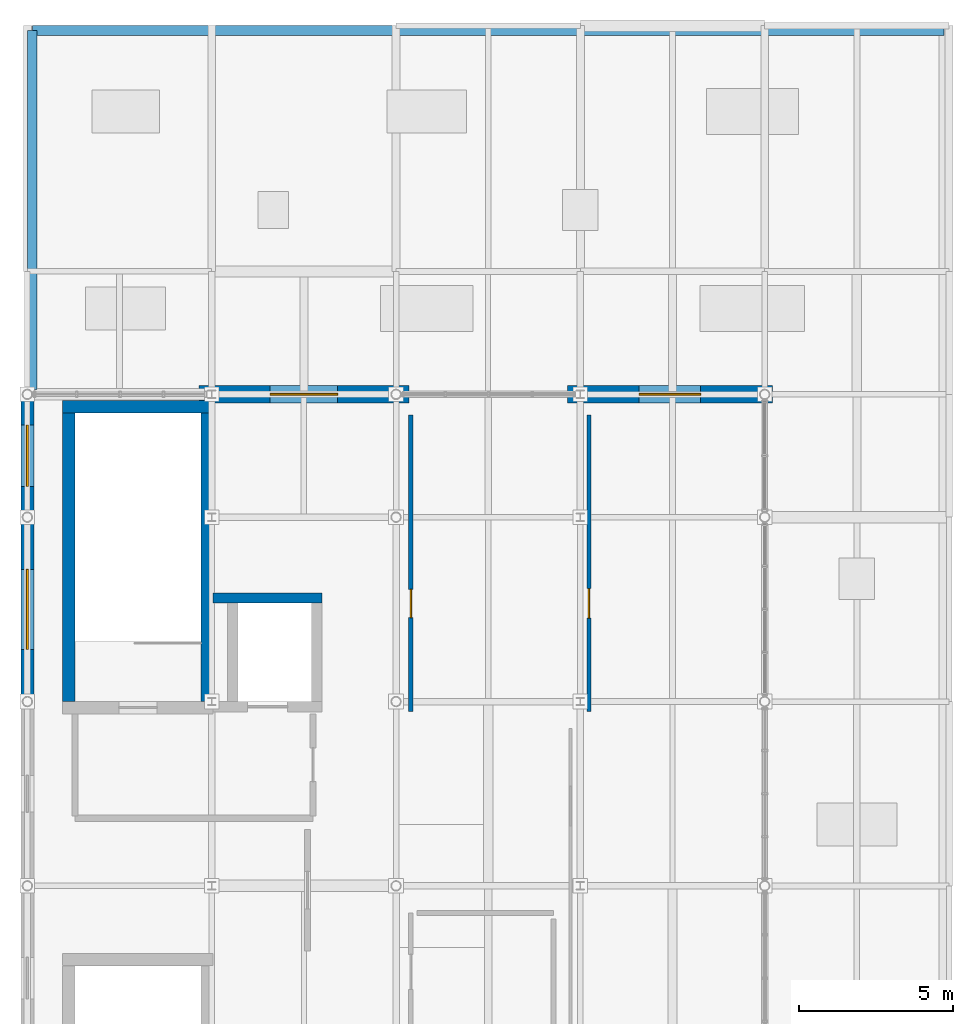
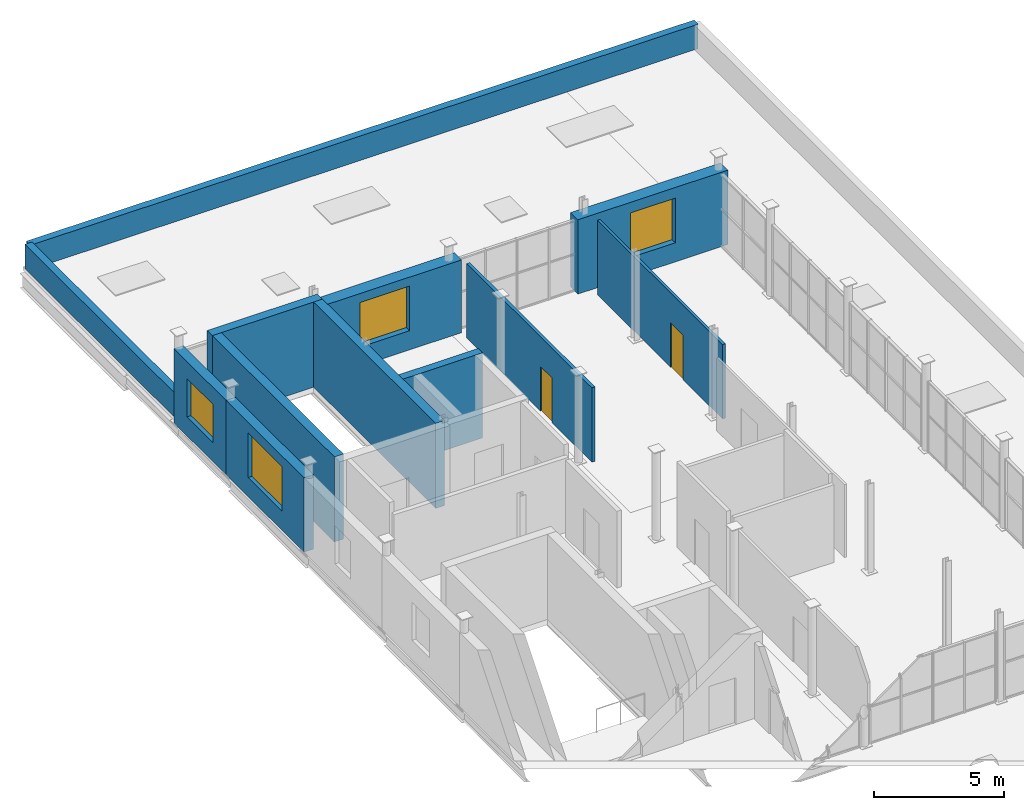
# One storey, part 26 of 27: 12 walls, 4 windows, 2 doors, 6 openings.
"""IFC4 building model written with IfcOpenShell, lengths in metres."""

import ifcopenshell
import ifcopenshell.guid

model = None  # the IFC model being written
_history = None  # IfcOwnerHistory: only IFC2X3 demands one
_inside = {}  # id of a spatial element -> (the spatial element, [elements in it])
_under = {}  # id of a project, library or spatial element -> (it, [spatial elements below it])
_declared = {}  # id of a project -> (the project, [libraries it declares])
_typed = {}  # id of a type object -> (the type object, [elements of that type])
_made_of = {}  # id of a material, layer set ... -> (it, [elements and type objects made of it])


def new_model(schema):
    """Start an empty IFC model of exactly this schema.

    Asked for "IFC4X3", IfcOpenShell would pick the latest addendum, in which some entities
    have other attributes; the version numbers below select the first issue.
    IFC2X3 requires an IfcOwnerHistory on every rooted entity: one is made here for all.
    """
    global model, _history
    if schema == "IFC4X3":
        model = ifcopenshell.file(schema_version=(4, 3, 0, 0))
    else:
        model = ifcopenshell.file(schema=schema)
    _inside.clear()
    _under.clear()
    _declared.clear()
    _typed.clear()
    _made_of.clear()
    _history = None
    if model.schema == "IFC2X3":
        org = make("IfcOrganization", Name="unknown")
        user = make(
            "IfcPersonAndOrganization",
            ThePerson=make("IfcPerson", FamilyName="unknown"),
            TheOrganization=org,
        )
        app = make(
            "IfcApplication",
            ApplicationDeveloper=org,
            Version="unknown",
            ApplicationFullName="unknown",
            ApplicationIdentifier="unknown",
        )
        _history = make(
            "IfcOwnerHistory",
            OwningUser=user,
            OwningApplication=app,
            ChangeAction="ADDED",
            CreationDate=0,
        )
    return model


def make(cls, **values):
    """One entity of the class cls with the attributes given. An attribute that is None is left unset."""
    return model.create_entity(
        cls, **{name: value for name, value in values.items() if value is not None}
    )


def rooted(cls, **values):
    """An entity with a GlobalId (a new one), such as an element, a storey or a relation."""
    return make(cls, GlobalId=ifcopenshell.guid.new(), OwnerHistory=_history, **values)


def si_unit(unit_type, name, prefix=None):
    """IfcSIUnit, for example si_unit("LENGTHUNIT", "METRE", prefix="MILLI")."""
    return make("IfcSIUnit", UnitType=unit_type, Prefix=prefix, Name=name)


def assignment(units):
    """IfcUnitAssignment: the units of a project."""
    return None if units is None else make("IfcUnitAssignment", Units=units)


def point(xyz):
    """IfcCartesianPoint."""
    return None if xyz is None else make("IfcCartesianPoint", Coordinates=xyz)


def direction(xyz):
    """IfcDirection."""
    return None if xyz is None else make("IfcDirection", DirectionRatios=xyz)


def frame(location, z_axis=None, x_axis=None):
    """IfcAxis2Placement3D, a coordinate frame: its origin and axes. An axis left out is left unset."""
    return make(
        "IfcAxis2Placement3D",
        Location=point(location),
        Axis=direction(z_axis),
        RefDirection=direction(x_axis),
    )


def frame_2d(location, x_axis=None):
    """IfcAxis2Placement2D, a coordinate frame in the plane: its origin and x axis."""
    return make(
        "IfcAxis2Placement2D", Location=point(location), RefDirection=direction(x_axis)
    )


def origin():
    """The frame at (0, 0, 0) with its axes left unset."""
    return frame((0.0, 0.0, 0.0))


def place(relative_to, where):
    """IfcLocalPlacement: puts the frame where relative to a parent placement (None: the world)."""
    return make(
        "IfcLocalPlacement", PlacementRelTo=relative_to, RelativePlacement=where
    )


def context(
    kind, dimensions, precision=None, world=None, true_north=None, identifier=None
):
    """IfcGeometricRepresentationContext, for example the 3D "Model" context."""
    return make(
        "IfcGeometricRepresentationContext",
        ContextIdentifier=identifier,
        ContextType=kind,
        CoordinateSpaceDimension=dimensions,
        Precision=precision,
        WorldCoordinateSystem=world,
        TrueNorth=true_north,
    )


def subcontext(parent, identifier, kind, view, scale=None):
    """IfcGeometricRepresentationSubContext, for example "Body" below "Model"."""
    return make(
        "IfcGeometricRepresentationSubContext",
        ContextIdentifier=identifier,
        ContextType=kind,
        ParentContext=parent,
        TargetScale=scale,
        TargetView=view,
    )


def project(units=None, contexts=None):
    """IfcProject with its units and contexts."""
    return rooted(
        "IfcProject",
        Name="project",
        RepresentationContexts=contexts,
        UnitsInContext=assignment(units),
    )


def spatial(cls, under=None, at=None, **own):
    """A site, building, storey or space (cls), placed at a placement, below another one or the project."""
    s = rooted(cls, ObjectPlacement=at, **own)
    if under is not None:
        _under.setdefault(under.id(), (under, []))[1].append(s)
    return s


def profile(cls, at=None, kind="AREA", **sizes):
    """A parametric profile (cls). Its sizes go by their IFC names, for example OverallWidth=200.0."""
    return make(cls, ProfileType=kind, Position=at, **sizes)


def rectangle(**sizes):
    """IfcRectangleProfileDef."""
    return profile("IfcRectangleProfileDef", **sizes)


def extrude(swept, where, along, depth):
    """IfcExtrudedAreaSolid: the profile swept, set in the frame where, extruded along a direction by depth."""
    return make(
        "IfcExtrudedAreaSolid",
        SweptArea=swept,
        Position=where,
        ExtrudedDirection=direction(along),
        Depth=depth,
    )


def shape(context_of_items, identifier, shape_type, items):
    """IfcShapeRepresentation: the items that make up one representation, for example the "Body"."""
    return make(
        "IfcShapeRepresentation",
        ContextOfItems=context_of_items,
        RepresentationIdentifier=identifier,
        RepresentationType=shape_type,
        Items=items,
    )


def material(Name=None, Category=None):
    """IfcMaterial."""
    return make("IfcMaterial", Name=Name, Category=Category)


def layer(
    of_material, thickness, ventilated=None, Name=None, Category=None, Priority=None
):
    """IfcMaterialLayer: one layer of a wall or slab, of a material (None: an air gap)."""
    return make(
        "IfcMaterialLayer",
        Material=of_material,
        LayerThickness=thickness,
        IsVentilated=ventilated,
        Name=Name,
        Category=Category,
        Priority=Priority,
    )


def layer_set(layers, Name=None):
    """IfcMaterialLayerSet."""
    return make("IfcMaterialLayerSet", MaterialLayers=layers, LayerSetName=Name)


def made_of(thing, what):
    """Note that an element or type object is made of a material, layer set ...; save() writes the relation."""
    if what is not None:
        _made_of.setdefault(what.id(), (what, []))[1].append(thing)
    return thing


def type_object(cls, material=None, **own):
    """A type object (cls), such as IfcWallType, which elements share."""
    return made_of(rooted(cls, **own), material)


def element(
    cls,
    number,
    at=None,
    inside=None,
    cuts=None,
    type_object=None,
    material=None,
    context=None,
    identifier="Body",
    shape_type=None,
    held_by="IfcProductDefinitionShape",
    body=None,
    shapes=None,
    **own,
):
    """One element of the class cls, such as IfcWall. Its Tag is "e" and its number.

    at: its placement. inside: the storey or other place that contains it. cuts: it is an
    opening in that element (IfcRelVoidsElement). A single representation is given by context,
    identifier, shape_type and body (its items); several are given by shapes. held_by: the class
    of the entity that holds the representations. save() writes the other relations.
    """
    e = rooted(cls, Tag="e%d" % number, ObjectPlacement=at, **own)
    if body is not None:
        shapes = [shape(context, identifier, shape_type, body)]
    if shapes is not None:
        e.Representation = make(held_by, Representations=shapes)
    if inside is not None:
        _inside.setdefault(inside.id(), (inside, []))[1].append(e)
    if cuts is not None:
        rooted(
            "IfcRelVoidsElement", RelatingBuildingElement=cuts, RelatedOpeningElement=e
        )
    if type_object is not None:
        _typed.setdefault(type_object.id(), (type_object, []))[1].append(e)
    return made_of(e, material)


def fill(opening, filler):
    """IfcRelFillsElement: the door or window that sits in an opening."""
    return rooted(
        "IfcRelFillsElement",
        RelatingOpeningElement=opening,
        RelatedBuildingElement=filler,
    )


def aggregate(whole, parts):
    """IfcRelAggregates: a whole, such as a stair, and the parts it consists of."""
    return rooted("IfcRelAggregates", RelatingObject=whole, RelatedObjects=parts)


def save(model, path):
    """Write the relations noted so far, then the file.

    IfcRelAggregates (storeys below a building ...), IfcRelContainedInSpatialStructure (elements
    in a storey), IfcRelDefinesByType, IfcRelAssociatesMaterial and IfcRelDeclares: one each for
    every whole, place, type object, material and project.
    """
    for whole, parts in _under.values():
        aggregate(whole, parts)
    for where, things in _inside.values():
        rooted(
            "IfcRelContainedInSpatialStructure",
            RelatedElements=things,
            RelatingStructure=where,
        )
    for kind, things in _typed.values():
        rooted("IfcRelDefinesByType", RelatedObjects=things, RelatingType=kind)
    for what, things in _made_of.values():
        rooted("IfcRelAssociatesMaterial", RelatedObjects=things, RelatingMaterial=what)
    for by, libraries in _declared.values():
        rooted("IfcRelDeclares", RelatingContext=by, RelatedDefinitions=libraries)
    model.write(path)


model = new_model("IFC4")

# Units and contexts
model_context = context("Model", 3, precision=1e-05, world=origin(), true_north=direction((0.0, 1.0)))
body_context = subcontext(model_context, "Body", "Model", "MODEL_VIEW")
ifc_project = project(units=[si_unit("LENGTHUNIT", "METRE"), si_unit("AREAUNIT", "SQUARE_METRE"), si_unit("VOLUMEUNIT", "CUBIC_METRE"), si_unit("PLANEANGLEUNIT", "RADIAN"), si_unit("MASSUNIT", "GRAM", prefix="KILO")], contexts=[model_context])

# Site, building, storey
site_placement = place(None, origin())
site = spatial("IfcSite", under=ifc_project, at=site_placement, CompositionType="ELEMENT")
building_placement = place(site_placement, origin())
building = spatial("IfcBuilding", under=site, at=building_placement, Name="Verrall Gate Interchange", CompositionType="ELEMENT")
storey_placement = place(building_placement, frame((0.0, 0.0, 28.60009765625)))
storey = spatial("IfcBuildingStorey", under=building, at=storey_placement, Name="L07", CompositionType="ELEMENT", Elevation=28.60009765625)

# Wall, opening, window
ifc_material_1 = material(Name="Tyndall Dolomitic Limestone Ashlar Cavity Assembly (U=0.18)", Category="masonry")
ifc_layer_1 = layer(ifc_material_1, 0.419921875)
ifc_layer_set_1 = layer_set([ifc_layer_1], Name="Tyndall Dolomitic Limestone Ashlar Cavity Assembly (U=0.18)")
wall_type_1 = type_object("IfcWallType", Name="EW-01 Exterior Solid Wall 420", PredefinedType="SOLIDWALL", material=ifc_layer_set_1)
wall_1_placement = place(storey_placement, frame((6.0, 44.008056640625, 0.0), z_axis=(0.0, 0.0, 1.0), x_axis=(0.0, -1.0, 0.0)))
wall_1 = element("IfcWall", 1, at=wall_1_placement, inside=storey, type_object=wall_type_1, Name="L07 Classical Limestone Facade Wall 156", PredefinedType="SOLIDWALL", context=body_context, shape_type="SweptSolid", body=[
    extrude(rectangle(XDim=4.01611328125, YDim=0.419921875, at=frame_2d((2.008056640625, 0.0))), origin(), (0.0, 0.0, 1.0), 3.496826171875),
])
opening_1_placement = place(wall_1_placement, frame((1.008056640625, 0.0, 0.89990234375)))
opening_1 = element("IfcOpeningElement", 2, at=opening_1_placement, cuts=wall_1, Name="Opening WN-06", PredefinedType="OPENING", context=body_context, shape_type="SweptSolid", body=[
    extrude(rectangle(XDim=2.0, YDim=1.800048828125, at=frame_2d((1.0, 0.89990234375))), frame((0.0, 0.224853515625, 0.0), z_axis=(0.0, -1.0, 0.0), x_axis=(1.0, 0.0, 0.0)), (0.0, 0.0, 1.0), 0.44970703125),
])
ifc_material_2 = material(Name="Triple-Glazed Low-E Argon Bronze-Clad Window Unit (U=1.40)", Category="glass")
window_type_1 = type_object("IfcWindowType", Name="WN-06 Classical Deep-Reveal Window 2000x1800", PartitioningType="SINGLE_PANEL", PredefinedType="WINDOW", material=ifc_material_2)
window_1_placement = place(opening_1_placement, origin())
window_1 = element("IfcWindow", 3, at=window_1_placement, inside=storey, type_object=window_type_1, Name="L07 Classical Window 087 (WN-06)", OverallHeight=1.800048828125, OverallWidth=2.0, PartitioningType="SINGLE_PANEL", PredefinedType="WINDOW", context=body_context, shape_type="SweptSolid", body=[
    extrude(rectangle(XDim=2.0, YDim=1.800048828125, at=frame_2d((1.0, 0.89990234375))), frame((0.0, 0.030029296875, 0.0), z_axis=(0.0, -1.0, 0.0), x_axis=(1.0, 0.0, 0.0)), (0.0, 0.0, 1.0), 0.06005859375),
])
fill(opening_1, window_1)

wall_2_placement = place(storey_placement, frame((6.0, 40.008056640625, 0.0), z_axis=(0.0, 0.0, 1.0), x_axis=(0.0, -1.0, 0.0)))
wall_2 = element("IfcWall", 4, at=wall_2_placement, inside=storey, type_object=wall_type_1, Name="L07 Classical Limestone Facade Wall 157", PredefinedType="SOLIDWALL", context=body_context, shape_type="SweptSolid", body=[
    extrude(rectangle(XDim=6.01611328125, YDim=0.419921875, at=frame_2d((3.008056640625, 0.0))), origin(), (0.0, 0.0, 1.0), 3.496826171875),
])
opening_2_placement = place(wall_2_placement, frame((1.7080078125, 0.0, 0.89990234375)))
opening_2 = element("IfcOpeningElement", 5, at=opening_2_placement, cuts=wall_2, Name="Opening WN-16", PredefinedType="OPENING", context=body_context, shape_type="SweptSolid", body=[
    extrude(rectangle(XDim=2.60009765625, YDim=2.10009765625, at=frame_2d((1.300048828125, 1.050048828125))), frame((0.0, 0.224853515625, 0.0), z_axis=(0.0, -1.0, 0.0), x_axis=(1.0, 0.0, 0.0)), (0.0, 0.0, 1.0), 0.44970703125),
])
ifc_material_3 = material(Name="Triple-Glazed Low-E Argon Bronze-Clad Window Unit (U=1.40)", Category="glass")
window_type_2 = type_object("IfcWindowType", Name="WN-16 Classical Deep-Reveal Window 2600x2100", PartitioningType="SINGLE_PANEL", PredefinedType="WINDOW", material=ifc_material_3)
window_2_placement = place(opening_2_placement, origin())
window_2 = element("IfcWindow", 6, at=window_2_placement, inside=storey, type_object=window_type_2, Name="L07 Classical Window 088 (WN-16)", OverallHeight=2.10009765625, OverallWidth=2.60009765625, PartitioningType="SINGLE_PANEL", PredefinedType="WINDOW", context=body_context, shape_type="SweptSolid", body=[
    extrude(rectangle(XDim=2.60009765625, YDim=2.10009765625, at=frame_2d((1.300048828125, 1.050048828125))), frame((0.0, 0.030029296875, 0.0), z_axis=(0.0, -1.0, 0.0), x_axis=(1.0, 0.0, 0.0)), (0.0, 0.0, 1.0), 0.06005859375),
])
fill(opening_2, window_2)

ifc_material_4 = material(Name="Tyndall Dolomitic Limestone Ashlar Cavity Assembly (U=0.18)", Category="masonry")
ifc_layer_2 = layer(ifc_material_4, 0.56005859375)
ifc_layer_set_2 = layer_set([ifc_layer_2], Name="Tyndall Dolomitic Limestone Ashlar Cavity Assembly (U=0.18)")
wall_type_2 = type_object("IfcWallType", Name="EW-04 Exterior Solid Wall 560", PredefinedType="SOLIDWALL", material=ifc_layer_set_2)
wall_3_placement = place(storey_placement, frame((30.25, 44.0, 0.0), z_axis=(0.0, 0.0, 1.0), x_axis=(-1.0, 0.0, 0.0)))
wall_3 = element("IfcWall", 7, at=wall_3_placement, inside=storey, type_object=wall_type_2, Name="L07 Classical Limestone Facade Wall 154", PredefinedType="SOLIDWALL", context=body_context, shape_type="SweptSolid", body=[
    extrude(rectangle(XDim=6.669921875, YDim=0.56005859375, at=frame_2d((3.3349609375, 0.0))), origin(), (0.0, 0.0, 1.0), 3.496826171875),
])
opening_3_placement = place(wall_3_placement, frame((2.3349609375, 0.0, 0.89990234375)))
opening_3 = element("IfcOpeningElement", 8, at=opening_3_placement, cuts=wall_3, Name="Opening WN-13", PredefinedType="OPENING", context=body_context, shape_type="SweptSolid", body=[
    extrude(rectangle(XDim=2.0, YDim=2.10009765625, at=frame_2d((1.0, 1.050048828125))), frame((0.0, 0.294921875, 0.0), z_axis=(0.0, -1.0, 0.0), x_axis=(1.0, 0.0, 0.0)), (0.0, 0.0, 1.0), 0.58984375),
])
ifc_material_5 = material(Name="Triple-Glazed Low-E Argon Bronze-Clad Window Unit (U=1.40)", Category="glass")
window_type_3 = type_object("IfcWindowType", Name="WN-13 Classical Deep-Reveal Window 2000x2100", PartitioningType="SINGLE_PANEL", PredefinedType="WINDOW", material=ifc_material_5)
window_3_placement = place(opening_3_placement, origin())
window_3 = element("IfcWindow", 9, at=window_3_placement, inside=storey, type_object=window_type_3, Name="L07 Classical Window 085 (WN-13)", OverallHeight=2.10009765625, OverallWidth=2.0, PartitioningType="SINGLE_PANEL", PredefinedType="WINDOW", context=body_context, shape_type="SweptSolid", body=[
    extrude(rectangle(XDim=2.0, YDim=2.10009765625, at=frame_2d((1.0, 1.050048828125))), frame((0.0, 0.030029296875, 0.0), z_axis=(0.0, -1.0, 0.0), x_axis=(1.0, 0.0, 0.0)), (0.0, 0.0, 1.0), 0.06005859375),
])
fill(opening_3, window_3)

wall_4_placement = place(storey_placement, frame((18.419921875, 44.0, 0.0), z_axis=(0.0, 0.0, 1.0), x_axis=(-1.0, 0.0, 0.0)))
wall_4 = element("IfcWall", 10, at=wall_4_placement, inside=storey, type_object=wall_type_2, Name="L07 Classical Limestone Facade Wall 155", PredefinedType="SOLIDWALL", context=body_context, shape_type="SweptSolid", body=[
    extrude(rectangle(XDim=6.83984375, YDim=0.56005859375, at=frame_2d((3.419921875, 0.0))), origin(), (0.0, 0.0, 1.0), 3.4208984375),
])
opening_4_placement = place(wall_4_placement, frame((2.320068359375, 0.0, 0.89990234375)))
opening_4 = element("IfcOpeningElement", 11, at=opening_4_placement, cuts=wall_4, Name="Opening WN-14", PredefinedType="OPENING", context=body_context, shape_type="SweptSolid", body=[
    extrude(rectangle(XDim=2.199951171875, YDim=2.10009765625, at=frame_2d((1.10009765625, 1.050048828125))), frame((0.0, 0.294921875, 0.0), z_axis=(0.0, -1.0, 0.0), x_axis=(1.0, 0.0, 0.0)), (0.0, 0.0, 1.0), 0.58984375),
])
ifc_material_6 = material(Name="Triple-Glazed Low-E Argon Bronze-Clad Window Unit (U=1.40)", Category="glass")
window_type_4 = type_object("IfcWindowType", Name="WN-14 Classical Deep-Reveal Window 2200x2100", PartitioningType="SINGLE_PANEL", PredefinedType="WINDOW", material=ifc_material_6)
window_4_placement = place(opening_4_placement, origin())
window_4 = element("IfcWindow", 12, at=window_4_placement, inside=storey, type_object=window_type_4, Name="L07 Classical Window 086 (WN-14)", OverallHeight=2.10009765625, OverallWidth=2.199951171875, PartitioningType="SINGLE_PANEL", PredefinedType="WINDOW", context=body_context, shape_type="SweptSolid", body=[
    extrude(rectangle(XDim=2.199951171875, YDim=2.10009765625, at=frame_2d((1.10009765625, 1.050048828125))), frame((0.0, 0.030029296875, 0.0), z_axis=(0.0, -1.0, 0.0), x_axis=(1.0, 0.0, 0.0)), (0.0, 0.0, 1.0), 0.06005859375),
])
fill(opening_4, window_4)

# Wall, opening, door
ifc_material_7 = material(Name="Acoustic Steel-Stud Partition Assembly", Category="steel")
ifc_layer_3 = layer(ifc_material_7, 0.139892578125)
ifc_layer_set_3 = layer_set([ifc_layer_3], Name="Acoustic Steel-Stud Partition Assembly")
wall_type_3 = type_object("IfcWallType", Name="IW-03 Interior Partition Wall 140", PredefinedType="PARTITIONING", material=ifc_layer_set_3)
wall_5_placement = place(storey_placement, frame((18.47998046875, 33.679931640625, 0.0), z_axis=(0.0, 0.0, 1.0), x_axis=(0.0, 1.0, 0.0)))
wall_5 = element("IfcWall", 13, at=wall_5_placement, inside=storey, type_object=wall_type_3, Name="L07 Duty Supervisor Office Partition 110", PredefinedType="PARTITIONING", context=body_context, shape_type="SweptSolid", body=[
    extrude(rectangle(XDim=9.64013671875, YDim=0.139892578125, at=frame_2d((4.820068359375, 0.0))), origin(), (0.0, 0.0, 1.0), 3.496826171875),
])
opening_5_placement = place(wall_5_placement, frame((3.052001953125, 0.0, 0.0)))
opening_5 = element("IfcOpeningElement", 14, at=opening_5_placement, cuts=wall_5, Name="Opening D073", PredefinedType="OPENING", context=body_context, shape_type="SweptSolid", body=[
    extrude(rectangle(XDim=0.919921875, YDim=2.10009765625, at=frame_2d((0.4599609375, 1.050048828125))), frame((0.0, 0.0849609375, 0.0), z_axis=(0.0, -1.0, 0.0), x_axis=(1.0, 0.0, 0.0)), (0.0, 0.0, 1.0), 0.169677734375),
])
ifc_material_8 = material(Name="Architectural Solid-Core Birch Acoustic Door Assembly", Category="wood")
door_type_1 = type_object("IfcDoorType", Name="ID-10 Interior Swing Door 920x2100", OperationType="NOTDEFINED", PredefinedType="DOOR", material=ifc_material_8)
door_1_placement = place(opening_5_placement, origin())
door_1 = element("IfcDoor", 15, at=door_1_placement, inside=storey, type_object=door_type_1, Name="L07 Duty Supervisor Office Door D073", OperationType="SINGLE_SWING_RIGHT", OverallHeight=2.10009765625, OverallWidth=0.919921875, PredefinedType="DOOR", context=body_context, shape_type="SweptSolid", body=[
    extrude(rectangle(XDim=0.919921875, YDim=2.10009765625, at=frame_2d((0.4599609375, 1.050048828125))), frame((0.0, 0.02490234375, 0.0), z_axis=(0.0, -1.0, 0.0), x_axis=(1.0, 0.0, 0.0)), (0.0, 0.0, 1.0), 0.050048828125),
])
fill(opening_5, door_1)

ifc_material_9 = material(Name="Acoustic Steel-Stud Partition Assembly", Category="steel")
ifc_layer_4 = layer(ifc_material_9, 0.1201171875)
ifc_layer_set_4 = layer_set([ifc_layer_4], Name="Acoustic Steel-Stud Partition Assembly")
wall_type_4 = type_object("IfcWallType", Name="IW-04 Interior Partition Wall 120", PredefinedType="PARTITIONING", material=ifc_layer_set_4)
wall_6_placement = place(storey_placement, frame((24.280029296875, 33.679931640625, 0.0), z_axis=(0.0, 0.0, 1.0), x_axis=(0.0, 1.0, 0.0)))
wall_6 = element("IfcWall", 16, at=wall_6_placement, inside=storey, type_object=wall_type_4, Name="L07 Incident Playback Archive Room Partition 111", PredefinedType="PARTITIONING", context=body_context, shape_type="SweptSolid", body=[
    extrude(rectangle(XDim=9.64013671875, YDim=0.1201171875, at=frame_2d((4.820068359375, 0.0))), origin(), (0.0, 0.0, 1.0), 3.496826171875),
])
opening_6_placement = place(wall_6_placement, frame((3.0380859375, 0.0, 0.0)))
opening_6 = element("IfcOpeningElement", 17, at=opening_6_placement, cuts=wall_6, Name="Opening D074", PredefinedType="OPENING", context=body_context, shape_type="SweptSolid", body=[
    extrude(rectangle(XDim=0.9599609375, YDim=2.10009765625, at=frame_2d((0.47998046875, 1.050048828125))), frame((0.0, 0.074951171875, 0.0), z_axis=(0.0, -1.0, 0.0), x_axis=(1.0, 0.0, 0.0)), (0.0, 0.0, 1.0), 0.14990234375),
])
ifc_material_10 = material(Name="Architectural Solid-Core Birch Acoustic Door Assembly", Category="wood")
door_type_2 = type_object("IfcDoorType", Name="ID-11 Interior Swing Door 960x2100", OperationType="NOTDEFINED", PredefinedType="DOOR", material=ifc_material_10)
door_2_placement = place(opening_6_placement, origin())
door_2 = element("IfcDoor", 18, at=door_2_placement, inside=storey, type_object=door_type_2, Name="L07 Incident Playback Archive Room Door D074", OperationType="SINGLE_SWING_LEFT", OverallHeight=2.10009765625, OverallWidth=0.9599609375, PredefinedType="DOOR", context=body_context, shape_type="SweptSolid", body=[
    extrude(rectangle(XDim=0.9599609375, YDim=2.10009765625, at=frame_2d((0.47998046875, 1.050048828125))), frame((0.0, 0.02490234375, 0.0), z_axis=(0.0, -1.0, 0.0), x_axis=(1.0, 0.0, 0.0)), (0.0, 0.0, 1.0), 0.050048828125),
])
fill(opening_6, door_2)

# Walls
ifc_material_11 = material(Name="Tyndall Dolomitic Limestone Ashlar Cavity Assembly (U=0.18)", Category="masonry")
ifc_layer_5 = layer(ifc_material_11, 0.320068359375)
ifc_layer_set_5 = layer_set([ifc_layer_5], Name="Tyndall Dolomitic Limestone Ashlar Cavity Assembly (U=0.18)")
wall_type_5 = type_object("IfcWallType", Name="PW-02 Parapet Wall 320", PredefinedType="PARAPET", material=ifc_layer_set_5)
wall_7_placement = place(storey_placement, frame((35.840087890625, 55.840087890625, 0.0), z_axis=(0.0, 0.0, 1.0), x_axis=(-1.0, 0.0, 0.0)))
element("IfcWall", 19, at=wall_7_placement, inside=storey, type_object=wall_type_5, Name="L07 Classical Stone Roof Parapet 009", PredefinedType="PARAPET", context=body_context, shape_type="SweptSolid", body=[
    extrude(rectangle(XDim=29.68017578125, YDim=0.320068359375, at=frame_2d((14.840087890625, 0.0))), origin(), (0.0, 0.0, 1.0), 1.14990234375),
])
wall_8_placement = place(storey_placement, frame((6.159912109375, 44.159912109375, 0.0), z_axis=(0.0, 0.0, 1.0), x_axis=(0.0, 1.0, 0.0)))
element("IfcWall", 20, at=wall_8_placement, inside=storey, type_object=wall_type_5, Name="L07 Classical Stone Roof Parapet 011", PredefinedType="PARAPET", context=body_context, shape_type="SweptSolid", body=[
    extrude(rectangle(XDim=11.68017578125, YDim=0.320068359375, at=frame_2d((5.840087890625, 0.0))), origin(), (0.0, 0.0, 1.0), 1.14990234375),
])
ifc_material_12 = material(Name="Concrete CSA A23.1 40 MPa (Class N)", Category="concrete")
ifc_layer_6 = layer(ifc_material_12, 0.39990234375)
ifc_layer_set_6 = layer_set([ifc_layer_6], Name="Concrete CSA A23.1 40 MPa (Class N)")
wall_type_6 = type_object("IfcWallType", Name="SW-01 Core Shear Wall 400", PredefinedType="SHEAR", material=ifc_layer_set_6)
wall_9_placement = place(storey_placement, frame((12.050048828125, 43.60009765625, 0.0), z_axis=(0.0, 0.0, 1.0), x_axis=(-1.0, 0.0, 0.0)))
element("IfcWall", 21, at=wall_9_placement, inside=storey, type_object=wall_type_6, Name="L07 Core C2 North Shear Wall", PredefinedType="SHEAR", context=body_context, shape_type="SweptSolid", body=[
    extrude(rectangle(XDim=4.900146484375, YDim=0.39990234375, at=frame_2d((2.4501953125, 0.0))), origin(), (0.0, 0.0, 1.0), 4.0),
])
for number, where, z_axis, x_axis, name in (
    (22, (7.35009765625, 43.39990234375, 0.0), (0.0, 0.0, 1.0), (0.0, -1.0, 0.0), "L07 Core C2 West Shear Wall"),
    (23, (11.85009765625, 34.0, 0.0), (0.0, 0.0, 1.0), (0.0, 1.0, 0.0), "L07 Core C2 East Shear Wall"),
):
    element("IfcWall", number, at=place(storey_placement, frame(where, z_axis=z_axis, x_axis=x_axis)), inside=storey, type_object=wall_type_6, Name=name, PredefinedType="SHEAR", context=body_context, shape_type="SweptSolid", body=[
        extrude(rectangle(XDim=9.39990234375, YDim=0.39990234375, at=frame_2d((4.699951171875, 0.0))), origin(), (0.0, 0.0, 1.0), 4.0),
    ])
ifc_material_13 = material(Name="Concrete CSA A23.1 40 MPa (Class N)", Category="concrete")
ifc_layer_7 = layer(ifc_material_13, 0.340087890625)
ifc_layer_set_7 = layer_set([ifc_layer_7], Name="Concrete CSA A23.1 40 MPa (Class N)")
wall_type_7 = type_object("IfcWallType", Name="SW-02 Core Shear Wall 340", PredefinedType="SHEAR", material=ifc_layer_set_7)
wall_10_placement = place(storey_placement, frame((15.590087890625, 37.3701171875, 0.0), z_axis=(0.0, 0.0, 1.0), x_axis=(-1.0, 0.0, 0.0)))
element("IfcWall", 24, at=wall_10_placement, inside=storey, type_object=wall_type_7, Name="L07 Elevator EL-02 North Shaft Wall", PredefinedType="SHEAR", context=body_context, shape_type="SweptSolid", body=[
    extrude(rectangle(XDim=3.5400390625, YDim=0.340087890625, at=frame_2d((1.77001953125, 0.0))), origin(), (0.0, 0.0, 1.0), 4.0),
])

save(model, "model.ifc")
